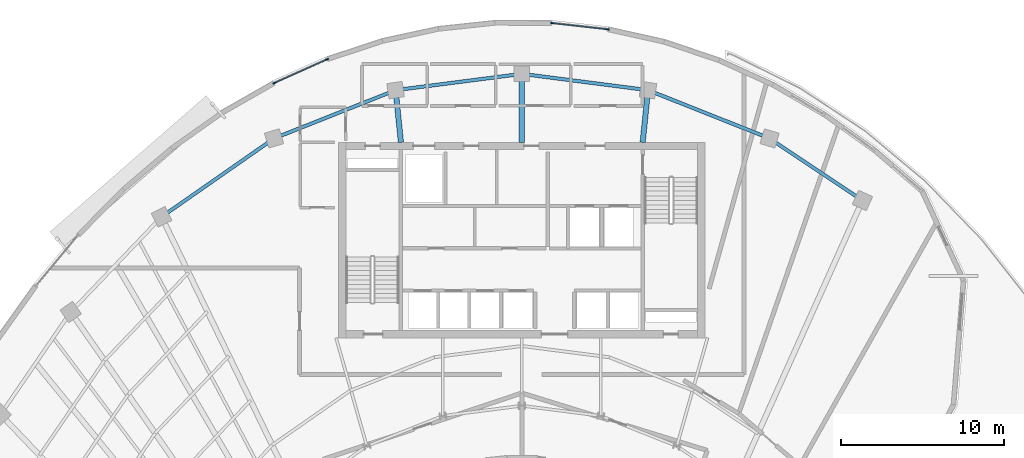
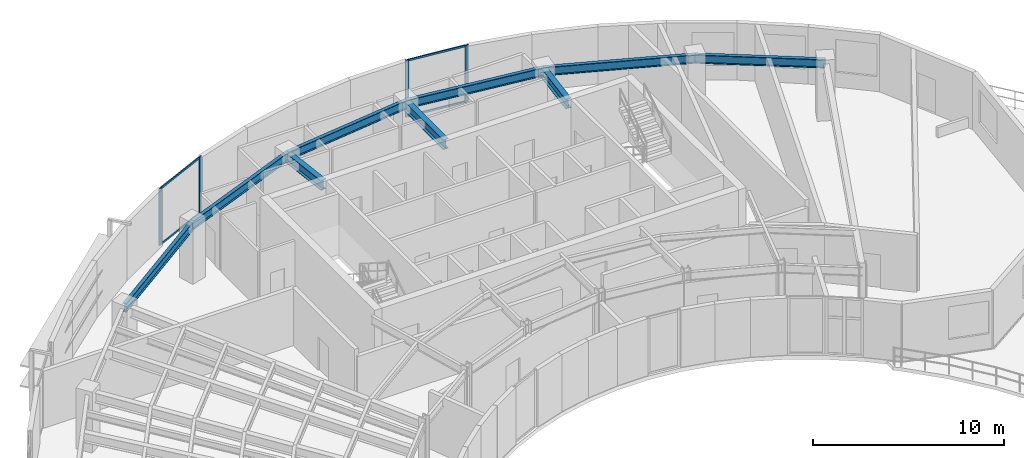
# One storey, part 4 of 15: 9 beams, 8 members, 2 elements without a shape of their own.
"""IFC4 building model written with IfcOpenShell, lengths in metres."""

from ifc_helpers import new_model, si_unit, direction, frame, origin, origin_2d, place, context, subcontext, project, spatial, rectangle, i_section, extrude, source, transform, mapped, material, layer, layer_set, material_profile, profile_set, type_object, element, aggregate, save


model = new_model("IFC4")

# Units and contexts
model_context = context("Model", 3, precision=1e-05, world=origin(), true_north=direction((0.0, 1.0)))
body_context = subcontext(model_context, "Body", "Model", "MODEL_VIEW")
ifc_project = project(units=[si_unit("LENGTHUNIT", "METRE"), si_unit("AREAUNIT", "SQUARE_METRE"), si_unit("VOLUMEUNIT", "CUBIC_METRE"), si_unit("PLANEANGLEUNIT", "RADIAN"), si_unit("MASSUNIT", "GRAM", prefix="KILO")], contexts=[model_context])

# Site, building, storey
site_placement = place(None, origin())
site = spatial("IfcSite", under=ifc_project, at=site_placement, CompositionType="ELEMENT")
building_placement = place(site_placement, origin())
building = spatial("IfcBuilding", under=site, at=building_placement, Name="Breltana Convention Tower", CompositionType="ELEMENT")
storey_placement = place(building_placement, frame((0.0, 0.0, 231.300048828125)))
storey = spatial("IfcBuildingStorey", under=building, at=storey_placement, Name="L56", CompositionType="ELEMENT", Elevation=231.300048828125)

# Beams
ifc_material_1 = material(Name="Steel ASTM A992 Grade 50", Category="steel")
ifc_material_profile_1 = material_profile(ifc_material_1, i_section(OverallWidth=0.326904296875, OverallDepth=0.6220703125, WebThickness=0.015380859375, FlangeThickness=0.0244140625, at=origin_2d()), Name="W24X131")
ifc_profile_set_1 = profile_set([ifc_material_profile_1], Name="Steel ASTM A992 Grade 50")
beam_type_1 = type_object("IfcBeamType", Name="BM-RG-W24X131", PredefinedType="USERDEFINED", material=ifc_profile_set_1)
shared_shape_1 = source(origin(), body_context, "Body", "SweptSolid", [
    extrude(i_section(OverallWidth=0.326904296875, OverallDepth=0.6220703125, WebThickness=0.015380859375, FlangeThickness=0.0244140625, at=origin_2d()), origin(), (0.0, 0.0, 1.0), 3.220947265625),
])
for number, where, z_axis, x_axis, name in (
    (1, (40.580078125, 72.199951171875, 3.3388671875), (-0.101492254858, 0.994836329355, 0.0), (-0.994836329355, -0.101492254858, 0.0), "L56 North Core Radial Girder R05"),
    (2, (55.419921875, 72.199951171875, 3.3388671875), (0.101492254858, 0.994836329355, 0.0), (-0.994836329355, 0.101492254858, 0.0), "L56 North Core Radial Girder R07"),
):
    element("IfcBeam", number, at=place(storey_placement, frame(where, z_axis=z_axis, x_axis=x_axis)), inside=storey, type_object=beam_type_1, Name=name, ObjectType="GIRDER", PredefinedType="USERDEFINED", context=body_context, shape_type="MappedRepresentation", body=[
        mapped(shared_shape_1, transform((0.0, 0.0, 0.0), scale=1.0)),
    ])
shared_shape_2 = source(origin(), body_context, "Body", "SweptSolid", [
    extrude(i_section(OverallWidth=0.326904296875, OverallDepth=0.6220703125, WebThickness=0.015380859375, FlangeThickness=0.0244140625, at=origin_2d()), origin(), (0.0, 0.0, 1.0), 4.2041015625),
])
beam_1_placement = place(storey_placement, frame((48.0, 72.199951171875, 3.3388671875), z_axis=(0.0, 1.0, 0.0), x_axis=(-1.0, 0.0, 0.0)))
element("IfcBeam", 3, at=beam_1_placement, inside=storey, type_object=beam_type_1, Name="L56 North Core Radial Girder R06", ObjectType="GIRDER", PredefinedType="USERDEFINED", context=body_context, shape_type="MappedRepresentation", body=[
    mapped(shared_shape_2, transform((0.0, 0.0, 0.0), scale=1.0)),
])
ifc_material_profile_2 = material_profile(ifc_material_1, i_section(OverallWidth=0.214111328125, OverallDepth=0.549072265625, WebThickness=0.0146484375, FlangeThickness=0.023681640625, at=origin_2d()), Name="W21X93")
ifc_profile_set_2 = profile_set([ifc_material_profile_2], Name="Steel ASTM A992 Grade 50")
beam_type_2 = type_object("IfcBeamType", Name="BM-SP-W21X93", PredefinedType="SPANDREL", material=ifc_profile_set_2)
shared_shape_3 = source(origin(), body_context, "Body", "SweptSolid", [
    extrude(i_section(OverallWidth=0.214111328125, OverallDepth=0.549072265625, WebThickness=0.0146484375, FlangeThickness=0.023681640625, at=origin_2d()), origin(), (0.0, 0.0, 1.0), 8.4169921875),
])
beam_2_placement = place(storey_placement, frame((25.8876953125, 67.626953125, 3.37548828125), z_axis=(0.820173800102, 0.572114444519, 0.0), x_axis=(-0.572114444519, 0.820173800102, 0.0)))
element("IfcBeam", 4, at=beam_2_placement, inside=storey, type_object=beam_type_2, Name="L56 Outer Spandrel Beam 03", PredefinedType="SPANDREL", context=body_context, shape_type="MappedRepresentation", body=[
    mapped(shared_shape_3, transform((0.0, 0.0, 0.0), scale=1.0)),
])
shared_shape_4 = source(origin(), body_context, "Body", "SweptSolid", [
    extrude(i_section(OverallWidth=0.214111328125, OverallDepth=0.549072265625, WebThickness=0.0146484375, FlangeThickness=0.023681640625, at=origin_2d()), origin(), (0.0, 0.0, 1.0), 8.028564453125),
])
for number, where, z_axis, x_axis, name in (
    (5, (32.791015625, 72.4423828125, 3.37548828125), (0.929459100394, 0.368925169507, 0.0), (-0.368925169507, 0.929459100394, 0.0), "L56 Outer Spandrel Beam 04"),
    (6, (55.746826171875, 75.404296875, 3.37548828125), (0.929459100394, -0.368925169507, 0.0), (0.368925169507, 0.929459100394, 0.0), "L56 Outer Spandrel Beam 07"),
):
    element("IfcBeam", number, at=place(storey_placement, frame(where, z_axis=z_axis, x_axis=x_axis)), inside=storey, type_object=beam_type_2, Name=name, PredefinedType="SPANDREL", context=body_context, shape_type="MappedRepresentation", body=[
        mapped(shared_shape_4, transform((0.0, 0.0, 0.0), scale=1.0)),
    ])
shared_shape_5 = source(origin(), body_context, "Body", "SweptSolid", [
    extrude(i_section(OverallWidth=0.214111328125, OverallDepth=0.549072265625, WebThickness=0.0146484375, FlangeThickness=0.023681640625, at=origin_2d()), origin(), (0.0, 0.0, 1.0), 7.81103515625),
])
for number, where, z_axis, x_axis, name in (
    (7, (40.253173828125, 75.404296875, 3.37548828125), (0.991775179127, 0.127992164083, 0.0), (-0.127992164083, 0.991775179127, 0.0), "L56 Outer Spandrel Beam 05"),
    (8, (48.0, 76.404052734375, 3.37548828125), (0.991775179127, -0.127992164083, 0.0), (0.127992164083, 0.991775179127, 0.0), "L56 Outer Spandrel Beam 06"),
):
    element("IfcBeam", number, at=place(storey_placement, frame(where, z_axis=z_axis, x_axis=x_axis)), inside=storey, type_object=beam_type_2, Name=name, PredefinedType="SPANDREL", context=body_context, shape_type="MappedRepresentation", body=[
        mapped(shared_shape_5, transform((0.0, 0.0, 0.0), scale=1.0)),
    ])
shared_shape_6 = source(origin(), body_context, "Body", "SweptSolid", [
    extrude(i_section(OverallWidth=0.214111328125, OverallDepth=0.549072265625, WebThickness=0.0146484375, FlangeThickness=0.023681640625, at=origin_2d()), origin(), (0.0, 0.0, 1.0), 6.856689453125),
])
beam_3_placement = place(storey_placement, frame((63.208984375, 72.4423828125, 3.37548828125), z_axis=(0.83150210718, -0.55552159792, 0.0), x_axis=(0.55552159792, 0.83150210718, 0.0)))
element("IfcBeam", 9, at=beam_3_placement, inside=storey, type_object=beam_type_2, Name="L56 Outer Spandrel Beam 08", PredefinedType="SPANDREL", context=body_context, shape_type="MappedRepresentation", body=[
    mapped(shared_shape_6, transform((0.0, 0.0, 0.0), scale=1.0)),
])

# Curtain wall, members
ifc_material_2 = material(Name="Aluminium Anodised Bronze Frame", Category="aluminium")
ifc_layer = layer(ifc_material_2, 0.219970703125, Name="Aluminium Anodised Bronze Frame")
ifc_layer_set = layer_set([ifc_layer], Name="Aluminium Anodised Bronze Frame")
curtain_wall_type = type_object("IfcCurtainWallType", Name="CW-SYS-4", PredefinedType="NOTDEFINED", material=ifc_layer_set)
curtain_wall_1_placement = place(storey_placement, origin())
curtain_wall_1 = element("IfcCurtainWall", 10, at=curtain_wall_1_placement, inside=storey, type_object=curtain_wall_type, Name="L56 outer double-skin inner glazing 3", PredefinedType="NOTDEFINED")
ifc_material_3 = material(Name="Aluminium Anodised Bronze", Category="aluminium")
ifc_material_profile_3 = material_profile(ifc_material_3, rectangle(XDim=0.080078125, YDim=0.199951171875, at=origin_2d()), Name="CWM-80X200")
ifc_profile_set_3 = profile_set([ifc_material_profile_3], Name="Aluminium Anodised Bronze")
member_type_1 = type_object("IfcMemberType", Name="CWM-200", PredefinedType="MULLION", material=ifc_profile_set_3)
shared_shape_7 = source(origin(), body_context, "Body", "SweptSolid", [
    extrude(rectangle(XDim=0.080078125, YDim=0.199951171875, at=origin_2d()), origin(), (0.0, 0.0, 1.0), 3.64990234375),
])
member_1_placement = place(storey_placement, frame((32.81298828125, 75.845703125, 0.0), z_axis=(0.0, 0.0, 1.0), x_axis=(-0.408605591669, 0.912711055294, 0.0)))
member_1 = element("IfcMember", 11, at=member_1_placement, type_object=member_type_1, Name="CW-04 mullion 1", PredefinedType="MULLION", context=body_context, shape_type="MappedRepresentation", body=[
    mapped(shared_shape_7, transform((0.0, 0.0, 0.0), scale=1.0)),
])
member_2_placement = place(storey_placement, frame((36.040283203125, 77.290283203125, 0.0), z_axis=(0.0, 0.0, 1.0), x_axis=(-0.408605591669, 0.912711055294, 0.0)))
member_2 = element("IfcMember", 12, at=member_2_placement, type_object=member_type_1, Name="CW-04 mullion 2", PredefinedType="MULLION", context=body_context, shape_type="MappedRepresentation", body=[
    mapped(shared_shape_7, transform((0.0, 0.0, 0.0), scale=1.0)),
])

curtain_wall_2_placement = place(storey_placement, origin())
curtain_wall_2 = element("IfcCurtainWall", 13, at=curtain_wall_2_placement, inside=storey, type_object=curtain_wall_type, Name="L56 outer double-skin inner glazing 4", PredefinedType="NOTDEFINED")
member_3_placement = place(storey_placement, frame((49.871826171875, 79.516845703125, 0.0), z_axis=(0.0, 0.0, 1.0), x_axis=(0.111237237409, 0.993793880547, 0.0)))
member_3 = element("IfcMember", 14, at=member_3_placement, type_object=member_type_1, Name="CW-04 mullion 1", PredefinedType="MULLION", context=body_context, shape_type="MappedRepresentation", body=[
    mapped(shared_shape_7, transform((0.0, 0.0, 0.0), scale=1.0)),
])
member_4_placement = place(storey_placement, frame((53.2578125, 79.1376953125, 0.0), z_axis=(0.0, 0.0, 1.0), x_axis=(0.111237237409, 0.993793880547, 0.0)))
member_4 = element("IfcMember", 15, at=member_4_placement, type_object=member_type_1, Name="CW-04 mullion 2", PredefinedType="MULLION", context=body_context, shape_type="MappedRepresentation", body=[
    mapped(shared_shape_7, transform((0.0, 0.0, 0.0), scale=1.0)),
])

# Member
ifc_material_profile_4 = material_profile(ifc_material_3, rectangle(XDim=0.070068359375, YDim=0.1201171875, at=origin_2d()), Name="CWT-70X120")
ifc_profile_set_4 = profile_set([ifc_material_profile_4], Name="Aluminium Anodised Bronze")
member_type_2 = type_object("IfcMemberType", Name="CWT-120", PredefinedType="USERDEFINED", material=ifc_profile_set_4)
shared_shape_8 = source(origin(), body_context, "Body", "SweptSolid", [
    extrude(rectangle(XDim=0.070068359375, YDim=0.1201171875, at=origin_2d()), origin(), (0.0, 0.0, 1.0), 3.45556640625),
])
member_5_placement = place(storey_placement, frame((32.849609375, 75.862060546875, 0.034912109375), z_axis=(0.912727440204, 0.408568990378, 0.0), x_axis=(-0.408568990378, 0.912727440204, 0.0)))
member_5 = element("IfcMember", 16, at=member_5_placement, type_object=member_type_2, Name="CW-04 transom 1.1", ObjectType="TRANSOM", PredefinedType="USERDEFINED", context=body_context, shape_type="MappedRepresentation", body=[
    mapped(shared_shape_8, transform((0.0, 0.0, 0.0), scale=1.0)),
])

member_6_placement = place(storey_placement, frame((32.849609375, 75.862060546875, 3.614990234375), z_axis=(0.912727440204, 0.408568990378, 0.0), x_axis=(-0.408568990378, 0.912727440204, 0.0)))
member_6 = element("IfcMember", 17, at=member_6_placement, type_object=member_type_2, Name="CW-04 transom 1.2", ObjectType="TRANSOM", PredefinedType="USERDEFINED", context=body_context, shape_type="MappedRepresentation", body=[
    mapped(shared_shape_8, transform((0.0, 0.0, 0.0), scale=1.0)),
])

aggregate(curtain_wall_1, [member_1, member_2, member_5, member_6])

shared_shape_9 = source(origin(), body_context, "Body", "SweptSolid", [
    extrude(rectangle(XDim=0.070068359375, YDim=0.1201171875, at=origin_2d()), origin(), (0.0, 0.0, 1.0), 3.3271484375),
])
member_7_placement = place(storey_placement, frame((49.91162109375, 79.51220703125, 0.034912109375), z_axis=(0.993793018405, -0.111244939519, 0.0), x_axis=(0.111244939519, 0.993793018405, 0.0)))
member_7 = element("IfcMember", 18, at=member_7_placement, type_object=member_type_2, Name="CW-04 transom 1.1", ObjectType="TRANSOM", PredefinedType="USERDEFINED", context=body_context, shape_type="MappedRepresentation", body=[
    mapped(shared_shape_9, transform((0.0, 0.0, 0.0), scale=1.0)),
])

member_8_placement = place(storey_placement, frame((49.91162109375, 79.51220703125, 3.614990234375), z_axis=(0.993793018405, -0.111244939519, 0.0), x_axis=(0.111244939519, 0.993793018405, 0.0)))
member_8 = element("IfcMember", 19, at=member_8_placement, type_object=member_type_2, Name="CW-04 transom 1.2", ObjectType="TRANSOM", PredefinedType="USERDEFINED", context=body_context, shape_type="MappedRepresentation", body=[
    mapped(shared_shape_9, transform((0.0, 0.0, 0.0), scale=1.0)),
])

aggregate(curtain_wall_2, [member_3, member_4, member_7, member_8])

save(model, "model.ifc")
